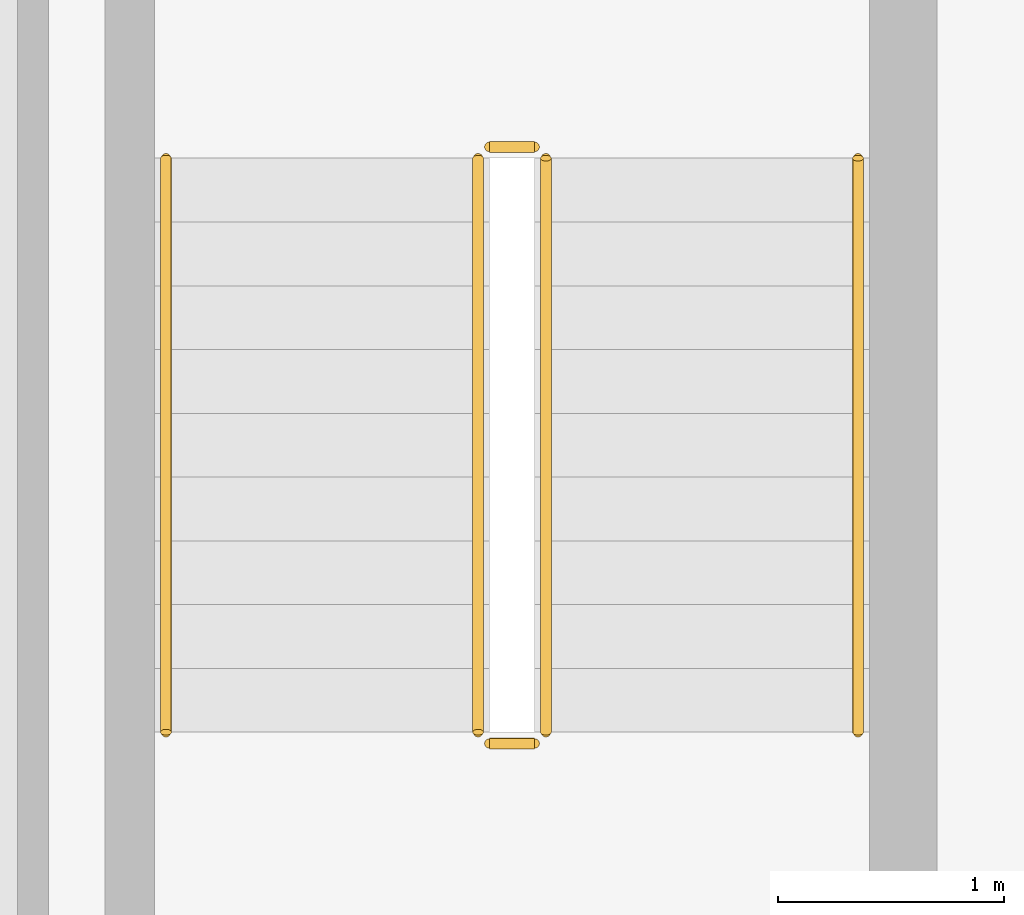
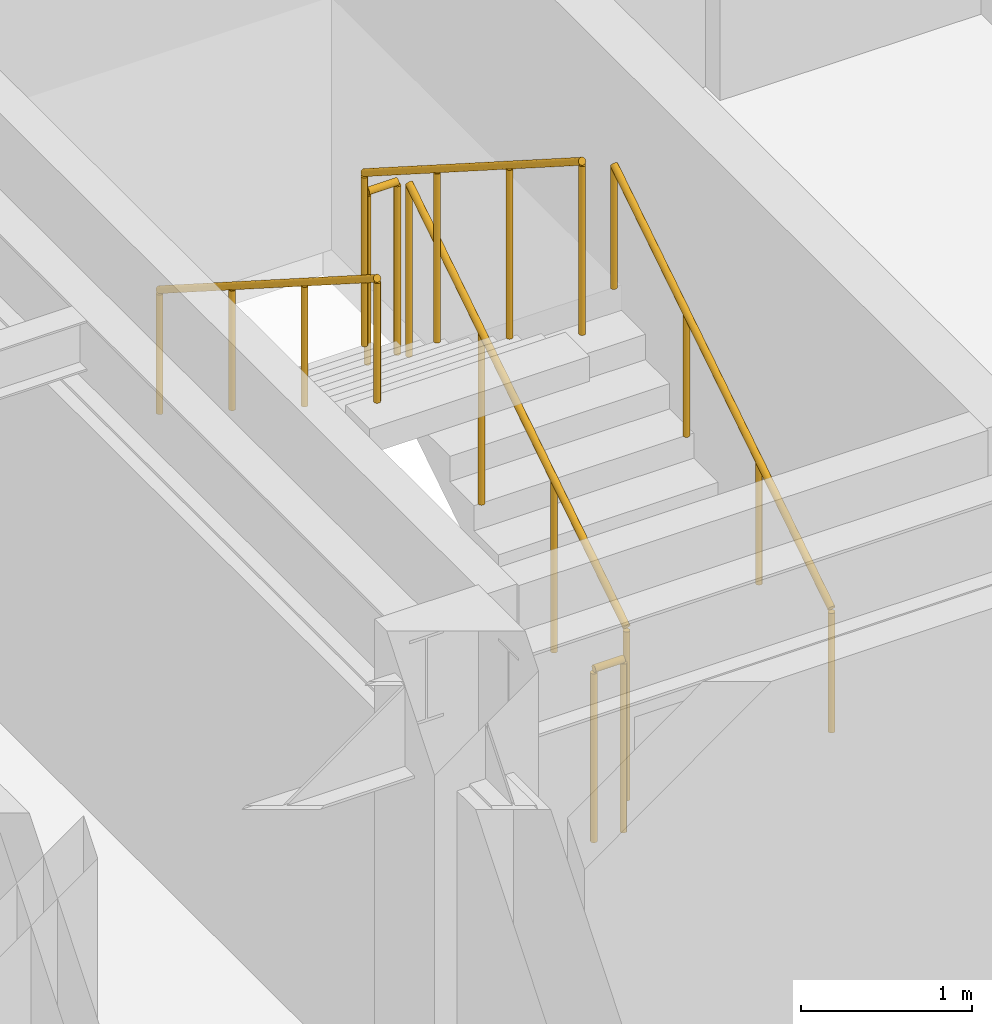
# One storey, part 9 of 10: 6 railings.
"""IFC4 building model written with IfcOpenShell, lengths in metres."""

from ifc_helpers import new_model, si_unit, direction, frame, origin, origin_2d, place, context, subcontext, project, spatial, circle, extrude, material, type_object, element, save


model = new_model("IFC4")

# Units and contexts
model_context = context("Model", 3, precision=1e-05, world=origin(), true_north=direction((0.0, 1.0)))
body_context = subcontext(model_context, "Body", "Model", "MODEL_VIEW")
ifc_project = project(units=[si_unit("LENGTHUNIT", "METRE"), si_unit("AREAUNIT", "SQUARE_METRE"), si_unit("VOLUMEUNIT", "CUBIC_METRE"), si_unit("PLANEANGLEUNIT", "RADIAN"), si_unit("MASSUNIT", "GRAM", prefix="KILO")], contexts=[model_context])

# Site, building, storey
site_placement = place(None, origin())
site = spatial("IfcSite", under=ifc_project, at=site_placement, CompositionType="ELEMENT")
building_placement = place(site_placement, origin())
building = spatial("IfcBuilding", under=site, at=building_placement, Name="Ochreholt Gables", CompositionType="ELEMENT")
storey_placement = place(building_placement, frame((0.0, 0.0, 177.60009765625)))
storey = spatial("IfcBuildingStorey", under=building, at=storey_placement, Name="L46", CompositionType="ELEMENT", Elevation=177.60009765625)

# Railings
ifc_material_1 = material(Name="Painted Steel Stair Guardrail", Category="steel")
railing_type_1 = type_object("IfcRailingType", Name="RL-ST-GUARD", PredefinedType="GUARDRAIL", material=ifc_material_1)
railing_1_placement = place(storey_placement, frame((26.64990234375, 32.4599609375, 0.179931640625)))
element("IfcRailing", 1, at=railing_1_placement, inside=storey, type_object=railing_type_1, Name="L46 ST-2 stair guard 1", PredefinedType="GUARDRAIL", context=body_context, shape_type="SweptSolid", body=[
    extrude(circle(Radius=0.02392578125, at=origin_2d()), frame((0.0, 0.0, 1.22607421875), z_axis=(0.0, 0.842949592929, 0.537992549931), x_axis=(-1.0, 0.0, 0.0)), (0.0, 0.0, 1.0), 3.010986328125),
    extrude(circle(Radius=0.02099609375, at=origin_2d()), origin(), (0.0, 0.0, 1.0), 1.201904296875),
    extrude(circle(Radius=0.02099609375, at=origin_2d()), frame((0.0, 0.845947265625, 0.5400390625)), (0.0, 0.0, 1.0), 1.201904296875),
    extrude(circle(Radius=0.02099609375, at=origin_2d()), frame((0.0, 1.692138671875, 1.079833984375)), (0.0, 0.0, 1.0), 1.201904296875),
    extrude(circle(Radius=0.02099609375, at=origin_2d()), frame((0.0, 2.5380859375, 1.619873046875)), (0.0, 0.0, 1.0), 1.201904296875),
])
railing_2_placement = place(storey_placement, frame((26.60009765625, 35.048095703125, 1.7998046875)))
element("IfcRailing", 2, at=railing_2_placement, inside=storey, type_object=railing_type_1, Name="L46 ST-2 stair guard 2", PredefinedType="GUARDRAIL", context=body_context, shape_type="SweptSolid", body=[
    extrude(circle(Radius=0.02392578125, at=origin_2d()), frame((0.0, 0.0, 1.22607421875), z_axis=(-1.0, 0.0, 0.0), x_axis=(0.0, -1.0, 0.0)), (0.0, 0.0, 1.0), 0.2001953125),
    extrude(circle(Radius=0.02099609375, at=origin_2d()), origin(), (0.0, 0.0, 1.0), 1.201904296875),
    extrude(circle(Radius=0.02099609375, at=origin_2d()), frame((-0.2001953125, 0.0, 0.0)), (0.0, 0.0, 1.0), 1.201904296875),
])
railing_3_placement = place(storey_placement, frame((26.35009765625, 34.998046875, 1.97998046875)))
element("IfcRailing", 3, at=railing_3_placement, inside=storey, type_object=railing_type_1, Name="L46 ST-2 stair guard 3", PredefinedType="GUARDRAIL", context=body_context, shape_type="SweptSolid", body=[
    extrude(circle(Radius=0.02392578125, at=origin_2d()), frame((0.0, 0.0, 1.22607421875), z_axis=(0.0, -0.842949592929, 0.537992549931), x_axis=(1.0, 0.0, 0.0)), (0.0, 0.0, 1.0), 3.010986328125),
    extrude(circle(Radius=0.02099609375, at=origin_2d()), origin(), (0.0, 0.0, 1.0), 1.201904296875),
    extrude(circle(Radius=0.02099609375, at=origin_2d()), frame((0.0, -0.845947265625, 0.5400390625)), (0.0, 0.0, 1.0), 1.201904296875),
    extrude(circle(Radius=0.02099609375, at=origin_2d()), frame((0.0, -1.692138671875, 1.079833984375)), (0.0, 0.0, 1.0), 1.201904296875),
    extrude(circle(Radius=0.02099609375, at=origin_2d()), frame((0.0, -2.5380859375, 1.619873046875)), (0.0, 0.0, 1.0), 1.201904296875),
])
railing_4_placement = place(storey_placement, frame((26.60009765625, 32.409912109375, 0.0)))
element("IfcRailing", 4, at=railing_4_placement, inside=storey, type_object=railing_type_1, Name="L46 ST-2 stair guard 4", PredefinedType="GUARDRAIL", context=body_context, shape_type="SweptSolid", body=[
    extrude(circle(Radius=0.02392578125, at=origin_2d()), frame((0.0, 0.0, 1.22607421875), z_axis=(-1.0, 0.0, 0.0), x_axis=(0.0, -1.0, 0.0)), (0.0, 0.0, 1.0), 0.2001953125),
    extrude(circle(Radius=0.02099609375, at=origin_2d()), origin(), (0.0, 0.0, 1.0), 1.201904296875),
    extrude(circle(Radius=0.02099609375, at=origin_2d()), frame((-0.2001953125, 0.0, 0.0)), (0.0, 0.0, 1.0), 1.201904296875),
])
ifc_material_2 = material(Name="Brushed Stainless Steel Wall Handrail", Category="steel")
railing_type_2 = type_object("IfcRailingType", Name="RL-ST-HAND", PredefinedType="HANDRAIL", material=ifc_material_2)
railing_5_placement = place(storey_placement, frame((28.030029296875, 32.4599609375, 0.179931640625)))
element("IfcRailing", 5, at=railing_5_placement, inside=storey, type_object=railing_type_2, Name="L46 ST-2 stair handrail 1", PredefinedType="HANDRAIL", context=body_context, shape_type="SweptSolid", body=[
    extrude(circle(Radius=0.02392578125, at=origin_2d()), frame((0.0, 0.0, 0.8759765625), z_axis=(0.0, 0.842949592929, 0.537992549931), x_axis=(-1.0, 0.0, 0.0)), (0.0, 0.0, 1.0), 3.010986328125),
    extrude(circle(Radius=0.02099609375, at=origin_2d()), origin(), (0.0, 0.0, 1.0), 0.851806640625),
    extrude(circle(Radius=0.02099609375, at=origin_2d()), frame((0.0, 0.845947265625, 0.5400390625)), (0.0, 0.0, 1.0), 0.851806640625),
    extrude(circle(Radius=0.02099609375, at=origin_2d()), frame((0.0, 1.692138671875, 1.079833984375)), (0.0, 0.0, 1.0), 0.851806640625),
    extrude(circle(Radius=0.02099609375, at=origin_2d()), frame((0.0, 2.5380859375, 1.619873046875)), (0.0, 0.0, 1.0), 0.851806640625),
])
railing_6_placement = place(storey_placement, frame((24.969970703125, 34.998046875, 1.97998046875)))
element("IfcRailing", 6, at=railing_6_placement, inside=storey, type_object=railing_type_2, Name="L46 ST-2 stair handrail 2", PredefinedType="HANDRAIL", context=body_context, shape_type="SweptSolid", body=[
    extrude(circle(Radius=0.02392578125, at=origin_2d()), frame((0.0, 0.0, 0.8759765625), z_axis=(0.0, -0.842949592929, 0.537992549931), x_axis=(1.0, 0.0, 0.0)), (0.0, 0.0, 1.0), 3.010986328125),
    extrude(circle(Radius=0.02099609375, at=origin_2d()), origin(), (0.0, 0.0, 1.0), 0.851806640625),
    extrude(circle(Radius=0.02099609375, at=origin_2d()), frame((0.0, -0.845947265625, 0.5400390625)), (0.0, 0.0, 1.0), 0.851806640625),
    extrude(circle(Radius=0.02099609375, at=origin_2d()), frame((0.0, -1.692138671875, 1.079833984375)), (0.0, 0.0, 1.0), 0.851806640625),
    extrude(circle(Radius=0.02099609375, at=origin_2d()), frame((0.0, -2.5380859375, 1.619873046875)), (0.0, 0.0, 1.0), 0.851806640625),
])

save(model, "model.ifc")
